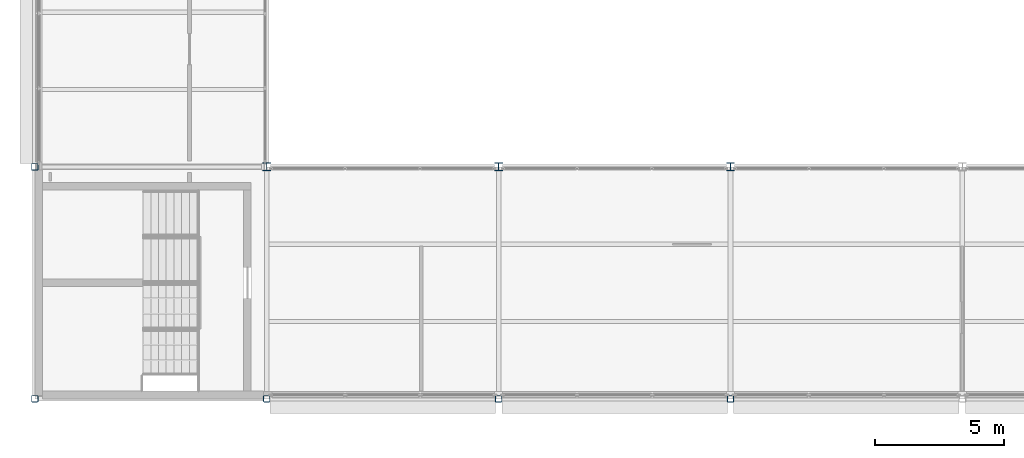
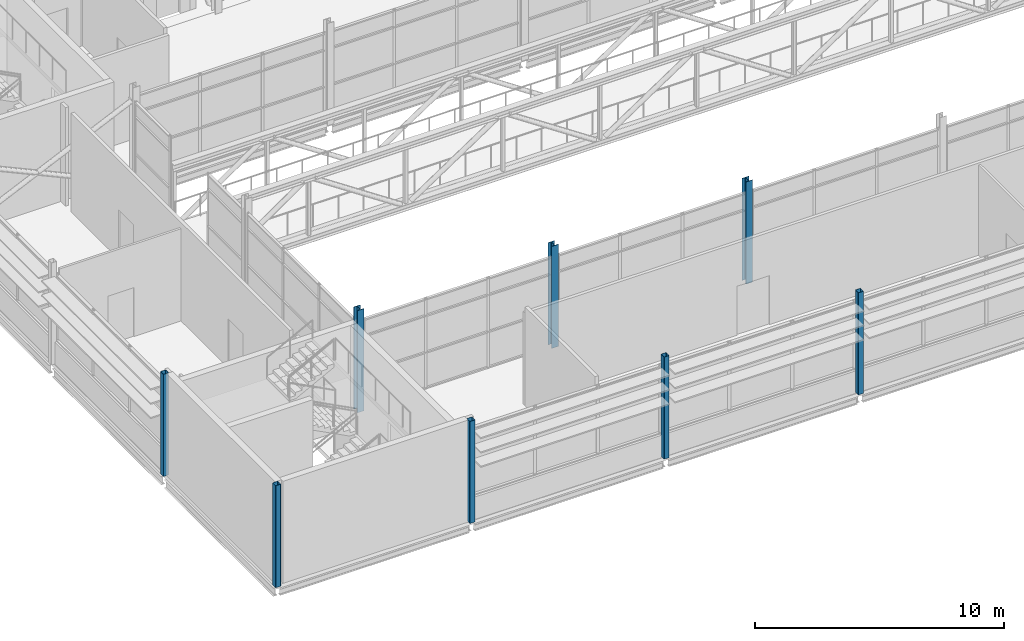
# One storey, part 1 of 94: 8 columns.
"""IFC4 building model written with IfcOpenShell, lengths in metres."""

from ifc_helpers import new_model, si_unit, direction, frame, origin, origin_2d, place, context, subcontext, project, spatial, hollow_rectangle, i_section, extrude, material, material_profile, profile_set, type_object, element, save


model = new_model("IFC4")

# Units and contexts
model_context = context("Model", 3, precision=1e-05, world=origin(), true_north=direction((0.0, 1.0)))
body_context = subcontext(model_context, "Body", "Model", "MODEL_VIEW")
ifc_project = project(units=[si_unit("LENGTHUNIT", "METRE"), si_unit("AREAUNIT", "SQUARE_METRE"), si_unit("VOLUMEUNIT", "CUBIC_METRE"), si_unit("PLANEANGLEUNIT", "RADIAN"), si_unit("MASSUNIT", "GRAM", prefix="KILO")], contexts=[model_context])

# Site, building, storey
site_placement = place(None, origin())
site = spatial("IfcSite", under=ifc_project, at=site_placement, CompositionType="ELEMENT")
building_placement = place(site_placement, origin())
building = spatial("IfcBuilding", under=site, at=building_placement, Name="Shorebreak Coast Museum", CompositionType="ELEMENT")
storey_placement = place(building_placement, frame((0.0, 0.0, 31.0)))
storey = spatial("IfcBuildingStorey", under=building, at=storey_placement, Name="L05", CompositionType="ELEMENT", Elevation=31.0)

# Columns
ifc_material_1 = material(Name="Steel Grade C450L0", Category="steel")
ifc_material_profile_1 = material_profile(ifc_material_1, hollow_rectangle(XDim=0.25, YDim=0.25, WallThickness=0.009033203125, InnerFilletRadius=0.013427734375, OuterFilletRadius=0.0224609375, at=origin_2d()), Name="250x250x9.0 SHS")
ifc_profile_set_1 = profile_set([ifc_material_profile_1], Name="Steel Grade C450L0")
column_type_1 = type_object("IfcColumnType", Name="Column 250x250x9.0 SHS", PredefinedType="COLUMN", material=ifc_profile_set_1)
for number, where, z_axis, x_axis, name in (
    (1, (54.0, 54.0, 0.0), (0.0, 0.0, 1.0), (1.0, 0.0, 0.0), "Column L05 7G"),
    (2, (63.0, 54.0, 0.0), (0.0, 0.0, 1.0), (1.0, 0.0, 0.0), "Column L05 8G"),
    (3, (72.0, 54.0, 0.0), (0.0, 0.0, 1.0), (1.0, 0.0, 0.0), "Column L05 9G"),
    (4, (81.0, 54.0, 0.0), (0.0, 0.0, 1.0), (1.0, 0.0, 0.0), "Column L05 10G"),
    (5, (54.0, 63.0, 0.0), (0.0, 0.0, 1.0), (1.0, 0.0, 0.0), "Column L05 7H"),
):
    element("IfcColumn", number, at=place(storey_placement, frame(where, z_axis=z_axis, x_axis=x_axis)), inside=storey, type_object=column_type_1, Name=name, PredefinedType="COLUMN", context=body_context, shape_type="SweptSolid", body=[
        extrude(hollow_rectangle(XDim=0.25, YDim=0.25, WallThickness=0.009033203125, InnerFilletRadius=0.013427734375, OuterFilletRadius=0.0224609375, at=origin_2d()), origin(), (0.0, 0.0, 1.0), 5.0),
    ])
ifc_material_2 = material(Name="Steel Grade 300", Category="steel")
ifc_material_profile_2 = material_profile(ifc_material_2, i_section(OverallWidth=0.306884765625, OverallDepth=0.314697265625, WebThickness=0.011962890625, FlangeThickness=0.018798828125, FilletRadius=0.0166015625, at=origin_2d()), Name="310UC118")
ifc_profile_set_2 = profile_set([ifc_material_profile_2], Name="Steel Grade 300")
column_type_2 = type_object("IfcColumnType", Name="Column 310UC118", PredefinedType="COLUMN", material=ifc_profile_set_2)
for number, where, z_axis, x_axis, name in (
    (6, (63.0, 63.0, 0.0), (0.0, 0.0, 1.0), (1.0, 0.0, 0.0), "Column L05 8H"),
    (7, (72.0, 63.0, 0.0), (0.0, 0.0, 1.0), (1.0, 0.0, 0.0), "Column L05 9H"),
    (8, (81.0, 63.0, 0.0), (0.0, 0.0, 1.0), (1.0, 0.0, 0.0), "Column L05 10H"),
):
    element("IfcColumn", number, at=place(storey_placement, frame(where, z_axis=z_axis, x_axis=x_axis)), inside=storey, type_object=column_type_2, Name=name, PredefinedType="COLUMN", context=body_context, shape_type="SweptSolid", body=[
        extrude(i_section(OverallWidth=0.306884765625, OverallDepth=0.314697265625, WebThickness=0.011962890625, FlangeThickness=0.018798828125, FilletRadius=0.0166015625, at=origin_2d()), origin(), (0.0, 0.0, 1.0), 5.0),
    ])

save(model, "model.ifc")
